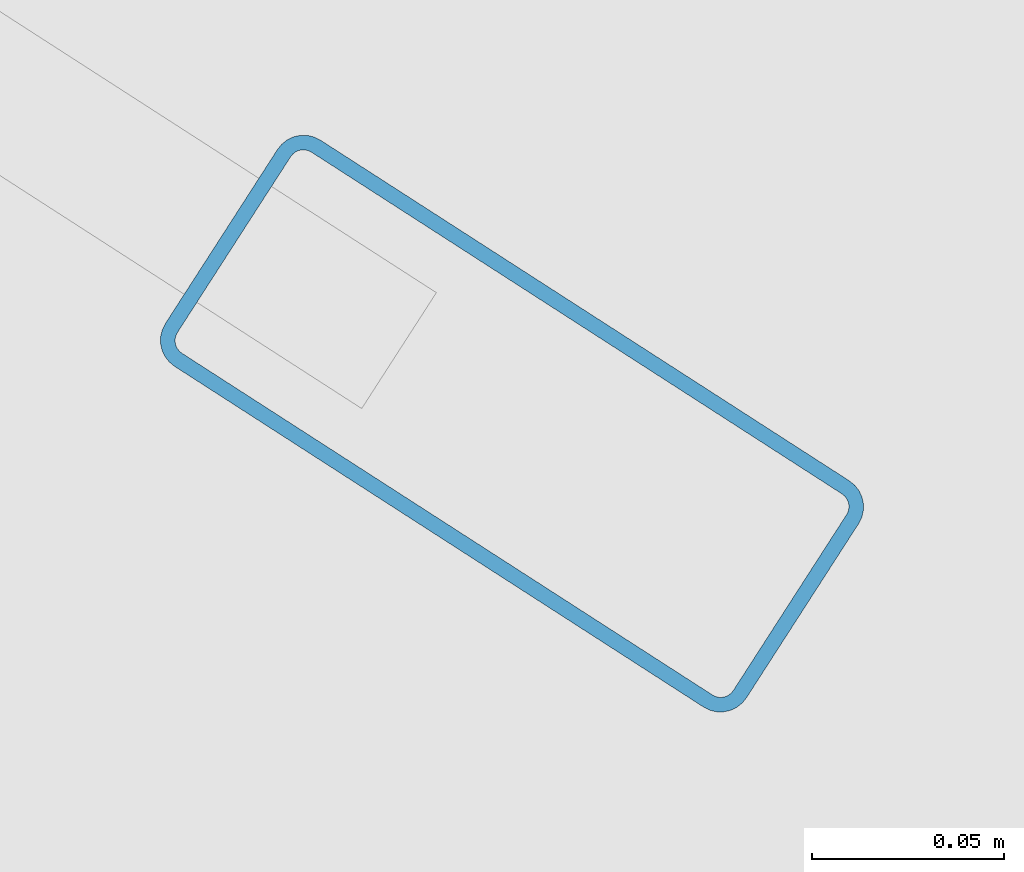
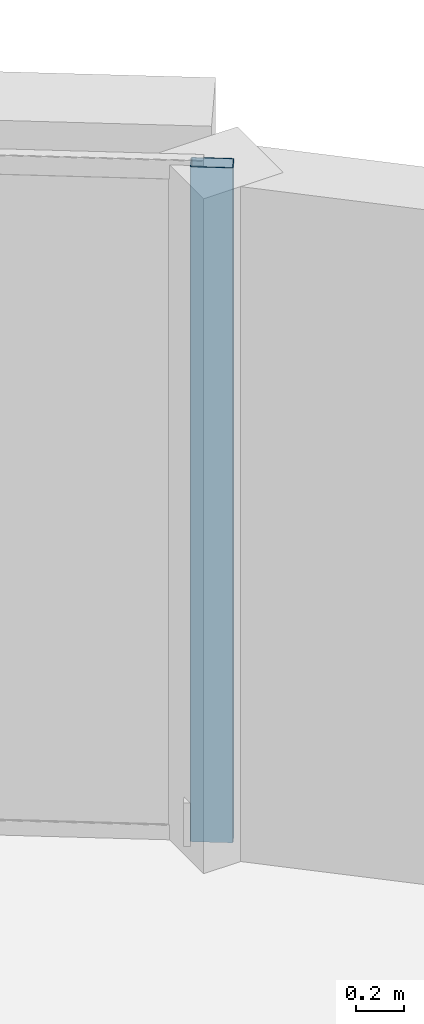
# One storey, part 5 of 15: 1 member, 1 element without a shape of its own.
"""IFC4 building model written with IfcOpenShell, lengths in metres."""

from ifc_helpers import new_model, si_unit, direction, frame, origin, origin_2d, place, context, subcontext, project, spatial, hollow_rectangle, extrude, material, layer, layer_set, material_profile, profile_set, type_object, element, aggregate, save


model = new_model("IFC4")

# Units and contexts
model_context = context("Model", 3, precision=1e-05, world=origin(), true_north=direction((0.0, 1.0)))
body_context = subcontext(model_context, "Body", "Model", "MODEL_VIEW")
ifc_project = project(units=[si_unit("LENGTHUNIT", "METRE"), si_unit("AREAUNIT", "SQUARE_METRE"), si_unit("VOLUMEUNIT", "CUBIC_METRE"), si_unit("PLANEANGLEUNIT", "RADIAN"), si_unit("MASSUNIT", "GRAM", prefix="KILO")], contexts=[model_context])

# Site, building, storey
site_placement = place(None, origin())
site = spatial("IfcSite", under=ifc_project, at=site_placement, CompositionType="ELEMENT")
building_placement = place(site_placement, origin())
building = spatial("IfcBuilding", under=site, at=building_placement, Name="An Khanh Terracotta Commons", CompositionType="ELEMENT")
storey_placement = place(building_placement, frame((0.0, 0.0, 143.800048828125)))
storey = spatial("IfcBuildingStorey", under=building, at=storey_placement, Name="L37", CompositionType="ELEMENT", Elevation=143.800048828125)

# Curtain wall, member
ifc_material = material(Name="Anodised Aluminium 6063-T6", Category="aluminium")
ifc_layer = layer(ifc_material, 0.2099609375, Name="Anodised Aluminium 6063-T6")
ifc_layer_set = layer_set([ifc_layer], Name="Anodised Aluminium 6063-T6")
curtain_wall_type = type_object("IfcCurtainWallType", Name="CW-SYS-03", PredefinedType="USERDEFINED", material=ifc_layer_set)
curtain_wall_placement = place(storey_placement, origin())
curtain_wall = element("IfcCurtainWall", 1, at=curtain_wall_placement, inside=storey, type_object=curtain_wall_type, Name="L37 CW-03 Unitised Curtain Wall CW-L37-16", ObjectType="UNITISED CURTAIN WALL", PredefinedType="USERDEFINED")
ifc_material_profile = material_profile(ifc_material, hollow_rectangle(XDim=0.070068359375, YDim=0.179931640625, WallThickness=0.00390625, InnerFilletRadius=0.00390625, OuterFilletRadius=0.008056640625, at=origin_2d()), Name="RHS180x70x4")
ifc_profile_set = profile_set([ifc_material_profile], Name="Anodised Aluminium 6063-T6")
member_type = type_object("IfcMemberType", Name="CWM-RHS180x70x4", PredefinedType="MULLION", material=ifc_profile_set)
member_placement = place(storey_placement, frame((60.448486328125, 35.843017578125, 0.0), z_axis=(0.0, 0.0, 1.0), x_axis=(-0.541497931062, -0.840702081986, 0.0)))
member = element("IfcMember", 2, at=member_placement, type_object=member_type, Name="CW-03 mullion 1", PredefinedType="MULLION", context=body_context, shape_type="SweptSolid", body=[
    extrude(hollow_rectangle(XDim=0.070068359375, YDim=0.179931640625, WallThickness=0.00390625, InnerFilletRadius=0.00390625, OuterFilletRadius=0.008056640625, at=origin_2d()), origin(), (0.0, 0.0, 1.0), 3.39990234375),
])
aggregate(curtain_wall, [member])

save(model, "model.ifc")
